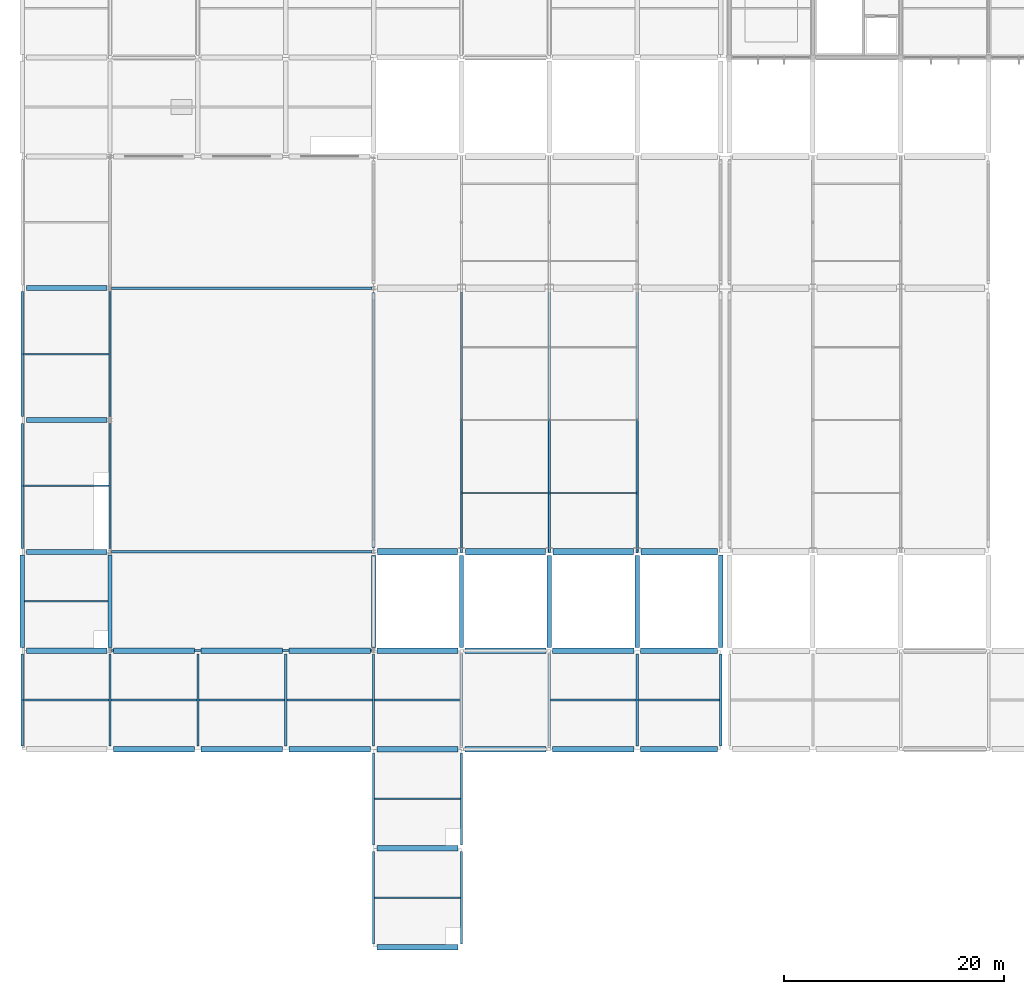
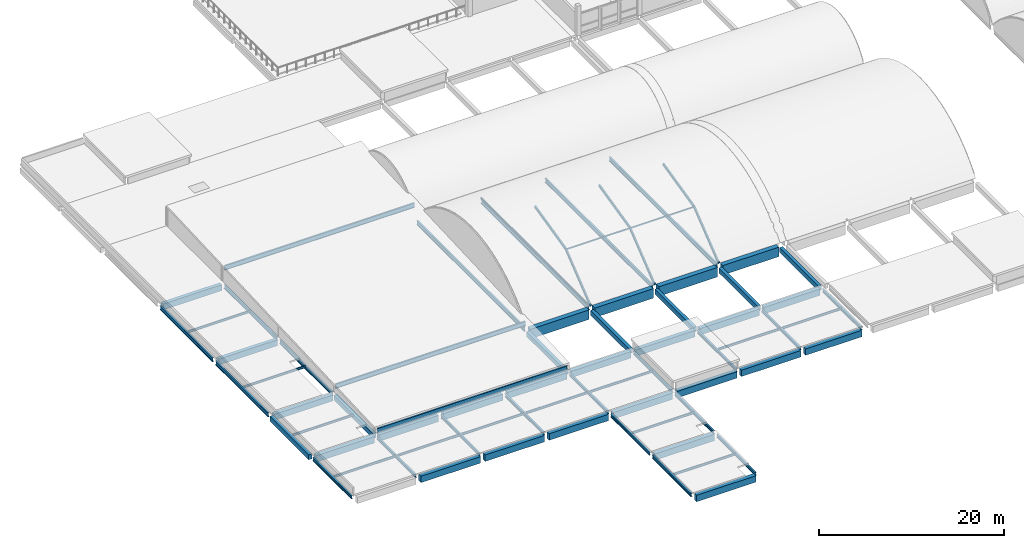
# One storey, part 4 of 57: 67 beams, 9 members.
"""IFC4 building model written with IfcOpenShell, lengths in metres."""

from ifc_helpers import new_model, si_unit, direction, frame, origin, origin_2d, place, context, subcontext, project, spatial, rectangle, hollow_rectangle, hollow_circle, i_section, extrude, material, material_profile, profile_set, type_object, element, save


model = new_model("IFC4")

# Units and contexts
model_context = context("Model", 3, precision=1e-05, world=origin(), true_north=direction((0.0, 1.0)))
body_context = subcontext(model_context, "Body", "Model", "MODEL_VIEW")
ifc_project = project(units=[si_unit("LENGTHUNIT", "METRE"), si_unit("AREAUNIT", "SQUARE_METRE"), si_unit("VOLUMEUNIT", "CUBIC_METRE"), si_unit("PLANEANGLEUNIT", "RADIAN"), si_unit("MASSUNIT", "GRAM", prefix="KILO"), si_unit("THERMODYNAMICTEMPERATUREUNIT", "KELVIN"), si_unit("POWERUNIT", "WATT")], contexts=[model_context])

# Site, building, storey
site_placement = place(None, origin())
site = spatial("IfcSite", under=ifc_project, at=site_placement, CompositionType="ELEMENT")
building_placement = place(site_placement, origin())
building = spatial("IfcBuilding", under=site, at=building_placement, Name="Kronsvod Quay Wholesale Market", CompositionType="ELEMENT")
storey_placement = place(building_placement, frame((0.0, 0.0, 13.199951171875)))
storey = spatial("IfcBuildingStorey", under=building, at=storey_placement, Name="L03", CompositionType="ELEMENT", Elevation=13.199951171875)

# Beams
ifc_material_1 = material(Name="Precast concrete C40/50", Category="concrete")
ifc_material_profile_1 = material_profile(ifc_material_1, rectangle(XDim=0.39990234375, YDim=0.64990234375, at=origin_2d()), Name="PCB400x650")
ifc_profile_set_1 = profile_set([ifc_material_profile_1], Name="Precast concrete C40/50")
beam_type_1 = type_object("IfcBeamType", Name="Beam_PCB400x650", PredefinedType="BEAM", material=ifc_profile_set_1)
for number, where, z_axis, x_axis, name in (
    (1, (0.0, 45.300048828125, -0.635009765625), (0.0, 1.0, 0.0), (-1.0, 0.0, 0.0), "BMY-L03-0-450"),
    (2, (8.0, 45.300048828125, -0.635009765625), (0.0, 1.0, 0.0), (-1.0, 0.0, 0.0), "BMY-L03-80-450"),
):
    element("IfcBeam", number, at=place(storey_placement, frame(where, z_axis=z_axis, x_axis=x_axis)), inside=storey, type_object=beam_type_1, Name=name, PredefinedType="BEAM", context=body_context, shape_type="SweptSolid", body=[
        extrude(rectangle(XDim=0.39990234375, YDim=0.64990234375, at=origin_2d()), origin(), (0.0, 0.0, 1.0), 8.39990234375),
    ])
for number, where, z_axis, x_axis, name in (
    (3, (32.0, 45.300048828125, -0.635009765625), (0.0, 1.0, 0.0), (-1.0, 0.0, 0.0), "BMY-L03-320-450"),
    (4, (40.0, 45.300048828125, -0.635009765625), (0.0, 1.0, 0.0), (-1.0, 0.0, 0.0), "BMY-L03-400-450"),
    (5, (48.0, 45.300048828125, -0.635009765625), (0.0, 1.0, 0.0), (-1.0, 0.0, 0.0), "BMY-L03-480-450"),
    (6, (56.0, 45.300048828125, -0.635009765625), (0.0, 1.0, 0.0), (-1.0, 0.0, 0.0), "BMY-L03-560-450"),
):
    element("IfcBeam", number, at=place(storey_placement, frame(where, z_axis=z_axis, x_axis=x_axis)), inside=storey, type_object=beam_type_1, Name=name, PredefinedType="BEAM", context=body_context, shape_type="SweptSolid", body=[
        extrude(rectangle(XDim=0.39990234375, YDim=0.64990234375, at=origin_2d()), origin(), (0.0, 0.0, 1.0), 8.349853515625),
    ])
beam_1_placement = place(storey_placement, frame((63.60009765625, 45.300048828125, -0.635009765625), z_axis=(0.0, 1.0, 0.0), x_axis=(-1.0, 0.0, 0.0)))
element("IfcBeam", 7, at=beam_1_placement, inside=storey, type_object=beam_type_1, Name="BMY-L03-636-450", PredefinedType="BEAM", context=body_context, shape_type="SweptSolid", body=[
    extrude(rectangle(XDim=0.39990234375, YDim=0.64990234375, at=origin_2d()), origin(), (0.0, 0.0, 1.0), 8.39990234375),
])
ifc_material_2 = material(Name="Precast concrete C40/50", Category="concrete")
ifc_material_profile_2 = material_profile(ifc_material_2, rectangle(XDim=0.4599609375, YDim=0.780029296875, at=origin_2d()), Name="PB-03")
ifc_profile_set_2 = profile_set([ifc_material_profile_2], Name="Precast concrete C40/50")
beam_type_2 = type_object("IfcBeamType", Name="Beam_PCB460x780", PredefinedType="BEAM", material=ifc_profile_set_2)
for number, where, z_axis, x_axis, name in (
    (8, (0.39990234375, 54.0, -0.699951171875), (1.0, 0.0, 0.0), (0.0, 1.0, 0.0), "BMX-L03-0-540"),
    (9, (0.39990234375, 66.0, -0.699951171875), (1.0, 0.0, 0.0), (0.0, 1.0, 0.0), "BMX-L03-0-660"),
    (10, (0.39990234375, 78.0, -0.699951171875), (1.0, 0.0, 0.0), (0.0, 1.0, 0.0), "BMX-L03-0-780"),
):
    element("IfcBeam", number, at=place(storey_placement, frame(where, z_axis=z_axis, x_axis=x_axis)), inside=storey, type_object=beam_type_2, Name=name, PredefinedType="BEAM", context=body_context, shape_type="SweptSolid", body=[
        extrude(rectangle(XDim=0.4599609375, YDim=0.780029296875, at=origin_2d()), origin(), (0.0, 0.0, 1.0), 7.300048828125),
    ])
ifc_material_3 = material(Name="Steel S355", Category="steel")
ifc_material_profile_3 = material_profile(ifc_material_3, i_section(OverallWidth=0.199951171875, OverallDepth=0.39990234375, WebThickness=0.008056640625, FlangeThickness=0.012939453125, FilletRadius=0.01611328125, at=origin_2d()), Name="40B2")
ifc_profile_set_3 = profile_set([ifc_material_profile_3], Name="Steel S355")
beam_type_3 = type_object("IfcBeamType", Name="Beam_Steel40B2", PredefinedType="BEAM", material=ifc_profile_set_3)
for number, where, z_axis, x_axis, name in (
    (11, (0.0, 36.300048828125, -0.510009765625), (0.0, 1.0, 0.0), (-1.0, 0.0, 0.0), "BMY-L03-0-360"),
    (12, (8.0, 36.300048828125, -0.510009765625), (0.0, 1.0, 0.0), (-1.0, 0.0, 0.0), "BMY-L03-80-360"),
    (13, (16.0, 36.300048828125, -0.510009765625), (0.0, 1.0, 0.0), (-1.0, 0.0, 0.0), "BMY-L03-160-360"),
    (14, (24.0, 36.300048828125, -0.510009765625), (0.0, 1.0, 0.0), (-1.0, 0.0, 0.0), "BMY-L03-240-360"),
    (15, (32.0, 18.300048828125, -0.510009765625), (0.0, 1.0, 0.0), (-1.0, 0.0, 0.0), "BMY-L03-320-180"),
    (16, (32.0, 27.300048828125, -0.510009765625), (0.0, 1.0, 0.0), (-1.0, 0.0, 0.0), "BMY-L03-320-270"),
    (17, (32.0, 36.300048828125, -0.510009765625), (0.0, 1.0, 0.0), (-1.0, 0.0, 0.0), "BMY-L03-320-360"),
    (18, (40.0, 18.300048828125, -0.510009765625), (0.0, 1.0, 0.0), (-1.0, 0.0, 0.0), "BMY-L03-400-180"),
    (19, (40.0, 27.300048828125, -0.510009765625), (0.0, 1.0, 0.0), (-1.0, 0.0, 0.0), "BMY-L03-400-270"),
    (20, (40.0, 36.300048828125, -0.510009765625), (0.0, 1.0, 0.0), (-1.0, 0.0, 0.0), "BMY-L03-400-360"),
    (21, (48.0, 36.300048828125, -0.510009765625), (0.0, 1.0, 0.0), (-1.0, 0.0, 0.0), "BMY-L03-480-360"),
    (22, (56.0, 36.300048828125, -0.510009765625), (0.0, 1.0, 0.0), (-1.0, 0.0, 0.0), "BMY-L03-560-360"),
    (23, (63.60009765625, 36.300048828125, -0.510009765625), (0.0, 1.0, 0.0), (-1.0, 0.0, 0.0), "BMY-L03-636-360"),
):
    element("IfcBeam", number, at=place(storey_placement, frame(where, z_axis=z_axis, x_axis=x_axis)), inside=storey, type_object=beam_type_3, Name=name, PredefinedType="BEAM", context=body_context, shape_type="SweptSolid", body=[
        extrude(i_section(OverallWidth=0.199951171875, OverallDepth=0.39990234375, WebThickness=0.008056640625, FlangeThickness=0.012939453125, FilletRadius=0.01611328125, at=origin_2d()), origin(), (0.0, 0.0, 1.0), 8.39990234375),
    ])
ifc_material_4 = material(Name="Precast concrete C40/50", Category="concrete")
ifc_material_profile_4 = material_profile(ifc_material_4, rectangle(XDim=0.5, YDim=0.85009765625, at=origin_2d()), Name="PCB500x850")
ifc_profile_set_4 = profile_set([ifc_material_profile_4], Name="Precast concrete C40/50")
beam_type_4 = type_object("IfcBeamType", Name="Girder_PCB500x850", PredefinedType="T_BEAM", material=ifc_profile_set_4)
for number, where, z_axis, x_axis, name in (
    (24, (32.300048828125, 18.0, -0.73486328125), (1.0, 0.0, 0.0), (0.0, 1.0, 0.0), "BMX-L03-320-180"),
    (25, (32.300048828125, 27.0, -0.73486328125), (1.0, 0.0, 0.0), (0.0, 1.0, 0.0), "BMX-L03-320-270"),
    (26, (8.300048828125, 36.0, -0.73486328125), (1.0, 0.0, 0.0), (0.0, 1.0, 0.0), "BMX-L03-80-360"),
    (27, (16.300048828125, 36.0, -0.73486328125), (1.0, 0.0, 0.0), (0.0, 1.0, 0.0), "BMX-L03-160-360"),
    (28, (24.300048828125, 36.0, -0.73486328125), (1.0, 0.0, 0.0), (0.0, 1.0, 0.0), "BMX-L03-240-360"),
    (29, (32.300048828125, 36.0, -0.73486328125), (1.0, 0.0, 0.0), (0.0, 1.0, 0.0), "BMX-L03-320-360"),
    (30, (40.300048828125, 36.0, -0.73486328125), (1.0, 0.0, 0.0), (0.0, 1.0, 0.0), "BMX-L03-400-360"),
    (31, (48.300048828125, 36.0, -0.73486328125), (1.0, 0.0, 0.0), (0.0, 1.0, 0.0), "BMX-L03-480-360"),
):
    element("IfcBeam", number, at=place(storey_placement, frame(where, z_axis=z_axis, x_axis=x_axis)), inside=storey, type_object=beam_type_4, Name=name, PredefinedType="T_BEAM", context=body_context, shape_type="SweptSolid", body=[
        extrude(rectangle(XDim=0.5, YDim=0.85009765625, at=origin_2d()), origin(), (0.0, 0.0, 1.0), 7.39990234375),
    ])
beam_2_placement = place(storey_placement, frame((56.300048828125, 36.0, -0.73486328125), z_axis=(1.0, 0.0, 0.0), x_axis=(0.0, 1.0, 0.0)))
element("IfcBeam", 32, at=beam_2_placement, inside=storey, type_object=beam_type_4, Name="BMX-L03-560-360", PredefinedType="T_BEAM", context=body_context, shape_type="SweptSolid", body=[
    extrude(rectangle(XDim=0.5, YDim=0.85009765625, at=origin_2d()), origin(), (0.0, 0.0, 1.0), 7.0),
])
beam_3_placement = place(storey_placement, frame((0.39990234375, 45.0, -0.73486328125), z_axis=(1.0, 0.0, 0.0), x_axis=(0.0, 1.0, 0.0)))
element("IfcBeam", 33, at=beam_3_placement, inside=storey, type_object=beam_type_4, Name="BMX-L03-0-450", PredefinedType="T_BEAM", context=body_context, shape_type="SweptSolid", body=[
    extrude(rectangle(XDim=0.5, YDim=0.85009765625, at=origin_2d()), origin(), (0.0, 0.0, 1.0), 7.300048828125),
])
for number, where, z_axis, x_axis, name in (
    (34, (8.300048828125, 45.0, -0.73486328125), (1.0, 0.0, 0.0), (0.0, 1.0, 0.0), "BMX-L03-80-450"),
    (35, (16.300048828125, 45.0, -0.73486328125), (1.0, 0.0, 0.0), (0.0, 1.0, 0.0), "BMX-L03-160-450"),
    (36, (24.300048828125, 45.0, -0.73486328125), (1.0, 0.0, 0.0), (0.0, 1.0, 0.0), "BMX-L03-240-450"),
    (37, (32.300048828125, 45.0, -0.73486328125), (1.0, 0.0, 0.0), (0.0, 1.0, 0.0), "BMX-L03-320-450"),
    (38, (40.300048828125, 45.0, -0.73486328125), (1.0, 0.0, 0.0), (0.0, 1.0, 0.0), "BMX-L03-400-450"),
    (39, (48.300048828125, 45.0, -0.73486328125), (1.0, 0.0, 0.0), (0.0, 1.0, 0.0), "BMX-L03-480-450"),
):
    element("IfcBeam", number, at=place(storey_placement, frame(where, z_axis=z_axis, x_axis=x_axis)), inside=storey, type_object=beam_type_4, Name=name, PredefinedType="T_BEAM", context=body_context, shape_type="SweptSolid", body=[
        extrude(rectangle(XDim=0.5, YDim=0.85009765625, at=origin_2d()), origin(), (0.0, 0.0, 1.0), 7.39990234375),
    ])
beam_4_placement = place(storey_placement, frame((56.300048828125, 45.0, -0.73486328125), z_axis=(1.0, 0.0, 0.0), x_axis=(0.0, 1.0, 0.0)))
element("IfcBeam", 40, at=beam_4_placement, inside=storey, type_object=beam_type_4, Name="BMX-L03-560-450", PredefinedType="T_BEAM", context=body_context, shape_type="SweptSolid", body=[
    extrude(rectangle(XDim=0.5, YDim=0.85009765625, at=origin_2d()), origin(), (0.0, 0.0, 1.0), 7.0),
])
ifc_material_5 = material(Name="Precast concrete C40/50", Category="concrete")
ifc_material_profile_5 = material_profile(ifc_material_5, rectangle(XDim=0.60009765625, YDim=1.25, at=origin_2d()), Name="PCVG600x1250")
ifc_profile_set_5 = profile_set([ifc_material_profile_5], Name="Precast concrete C40/50")
beam_type_5 = type_object("IfcBeamType", Name="Girder_PCVG600x1250", PredefinedType="T_BEAM", material=ifc_profile_set_5)
for number, where, z_axis, x_axis, name in (
    (41, (32.35009765625, 54.0, -0.844970703125), (1.0, 0.0, 0.0), (0.0, 1.0, 0.0), "BMX-L03-320-540"),
    (42, (40.35009765625, 54.0, -0.844970703125), (1.0, 0.0, 0.0), (0.0, 1.0, 0.0), "BMX-L03-400-540"),
    (43, (48.35009765625, 54.0, -0.844970703125), (1.0, 0.0, 0.0), (0.0, 1.0, 0.0), "BMX-L03-480-540"),
):
    element("IfcBeam", number, at=place(storey_placement, frame(where, z_axis=z_axis, x_axis=x_axis)), inside=storey, type_object=beam_type_5, Name=name, PredefinedType="T_BEAM", context=body_context, shape_type="SweptSolid", body=[
        extrude(rectangle(XDim=0.60009765625, YDim=1.25, at=origin_2d()), origin(), (0.0, 0.0, 1.0), 7.2998046875),
    ])
beam_5_placement = place(storey_placement, frame((56.35009765625, 54.0, -0.844970703125), z_axis=(1.0, 0.0, 0.0), x_axis=(0.0, 1.0, 0.0)))
element("IfcBeam", 44, at=beam_5_placement, inside=storey, type_object=beam_type_5, Name="BMX-L03-560-540", PredefinedType="T_BEAM", context=body_context, shape_type="SweptSolid", body=[
    extrude(rectangle(XDim=0.60009765625, YDim=1.25, at=origin_2d()), origin(), (0.0, 0.0, 1.0), 6.949951171875),
])
ifc_material_6 = material(Name="Steel S355", Category="steel")
ifc_material_profile_6 = material_profile(ifc_material_6, i_section(OverallWidth=0.198974609375, OverallDepth=0.49609375, WebThickness=0.009033203125, FlangeThickness=0.013916015625, FilletRadius=0.02001953125, at=origin_2d()), Name="50B1")
ifc_profile_set_6 = profile_set([ifc_material_profile_6], Name="Steel S355")
beam_type_6 = type_object("IfcBeamType", Name="Girder_Steel50B1", PredefinedType="T_BEAM", material=ifc_profile_set_6)
for number, where, z_axis, x_axis, name in (
    (45, (0.0, 54.300048828125, -0.557861328125), (0.0, 1.0, 0.0), (-1.0, 0.0, 0.0), "BMY-L03-0-540"),
    (46, (0.0, 66.300048828125, -0.557861328125), (0.0, 1.0, 0.0), (-1.0, 0.0, 0.0), "BMY-L03-0-660"),
    (47, (8.0, 54.300048828125, -0.557861328125), (0.0, 1.0, 0.0), (-1.0, 0.0, 0.0), "BMY-L03-80-540"),
    (48, (8.0, 66.300048828125, -0.557861328125), (0.0, 1.0, 0.0), (-1.0, 0.0, 0.0), "BMY-L03-80-660"),
):
    element("IfcBeam", number, at=place(storey_placement, frame(where, z_axis=z_axis, x_axis=x_axis)), inside=storey, type_object=beam_type_6, Name=name, PredefinedType="T_BEAM", context=body_context, shape_type="SweptSolid", body=[
        extrude(i_section(OverallWidth=0.198974609375, OverallDepth=0.49609375, WebThickness=0.009033203125, FlangeThickness=0.013916015625, FilletRadius=0.02001953125, at=origin_2d()), origin(), (0.0, 0.0, 1.0), 11.39990234375),
    ])
ifc_material_7 = material(Name="Steel S355", Category="steel")
ifc_material_profile_7 = material_profile(ifc_material_7, i_section(OverallWidth=0.199951171875, OverallDepth=0.5458984375, WebThickness=0.009521484375, FlangeThickness=0.014892578125, FilletRadius=0.02197265625, at=origin_2d()), Name="55B1")
ifc_profile_set_7 = profile_set([ifc_material_profile_7], Name="Steel S355")
beam_type_7 = type_object("IfcBeamType", Name="Girder_Steel55B1", PredefinedType="T_BEAM", material=ifc_profile_set_7)
for number, where, z_axis, x_axis, name in (
    (49, (32.0, 54.35009765625, -0.492919921875), (0.0, 1.0, 0.0), (-1.0, 0.0, 0.0), "BMY-L03-320-540"),
    (50, (40.0, 54.35009765625, -0.492919921875), (0.0, 1.0, 0.0), (-1.0, 0.0, 0.0), "BMY-L03-400-540"),
    (51, (48.0, 54.35009765625, -0.492919921875), (0.0, 1.0, 0.0), (-1.0, 0.0, 0.0), "BMY-L03-480-540"),
    (52, (56.0, 54.35009765625, -0.492919921875), (0.0, 1.0, 0.0), (-1.0, 0.0, 0.0), "BMY-L03-560-540"),
):
    element("IfcBeam", number, at=place(storey_placement, frame(where, z_axis=z_axis, x_axis=x_axis)), inside=storey, type_object=beam_type_7, Name=name, PredefinedType="T_BEAM", context=body_context, shape_type="SweptSolid", body=[
        extrude(i_section(OverallWidth=0.199951171875, OverallDepth=0.5458984375, WebThickness=0.009521484375, FlangeThickness=0.014892578125, FilletRadius=0.02197265625, at=origin_2d()), origin(), (0.0, 0.0, 1.0), 23.27490234375),
    ])
ifc_material_8 = material(Name="Steel S355", Category="steel")
ifc_material_profile_8 = material_profile(ifc_material_8, i_section(OverallWidth=0.198974609375, OverallDepth=0.595947265625, WebThickness=0.010009765625, FlangeThickness=0.014892578125, FilletRadius=0.02392578125, at=origin_2d()), Name="60B1")
ifc_profile_set_8 = profile_set([ifc_material_profile_8], Name="Steel S355")
beam_type_8 = type_object("IfcBeamType", Name="Girder_Steel60B1", PredefinedType="T_BEAM", material=ifc_profile_set_8)
for number, where, z_axis, x_axis, name in (
    (53, (8.14501953125, 45.0, 0.18212890625), (1.0, 0.0, 0.0), (0.0, 1.0, 0.0), "BMAUC-L03-450"),
    (54, (8.14501953125, 54.0, 0.575927734375), (1.0, 0.0, 0.0), (0.0, 1.0, 0.0), "BMAUC-L03-540"),
    (55, (8.14501953125, 78.0, 1.626708984375), (1.0, 0.0, 0.0), (0.0, 1.0, 0.0), "BMAUC-L03-780"),
):
    element("IfcBeam", number, at=place(storey_placement, frame(where, z_axis=z_axis, x_axis=x_axis)), inside=storey, type_object=beam_type_8, Name=name, PredefinedType="T_BEAM", context=body_context, shape_type="SweptSolid", body=[
        extrude(i_section(OverallWidth=0.198974609375, OverallDepth=0.595947265625, WebThickness=0.010009765625, FlangeThickness=0.014892578125, FilletRadius=0.02392578125, at=origin_2d()), origin(), (0.0, 0.0, 1.0), 23.7099609375),
    ])
ifc_material_9 = material(Name="Steel S355", Category="steel")
ifc_material_profile_9 = material_profile(ifc_material_9, i_section(OverallWidth=0.14990234375, OverallDepth=0.300048828125, WebThickness=0.006591796875, FlangeThickness=0.009033203125, FilletRadius=0.012939453125, at=origin_2d()), Name="30B2")
ifc_profile_set_9 = profile_set([ifc_material_profile_9], Name="Steel S355")
beam_type_9 = type_object("IfcBeamType", Name="Joist_Steel30B2", PredefinedType="JOIST", material=ifc_profile_set_9)
beam_6_placement = place(storey_placement, frame((0.094970703125, 40.5, -0.369873046875), z_axis=(1.0, 0.0, 0.0), x_axis=(0.0, 1.0, 0.0)))
element("IfcBeam", 56, at=beam_6_placement, inside=storey, type_object=beam_type_9, Name="JSTX-L03-0-360", PredefinedType="JOIST", context=body_context, shape_type="SweptSolid", body=[
    extrude(i_section(OverallWidth=0.14990234375, OverallDepth=0.300048828125, WebThickness=0.006591796875, FlangeThickness=0.009033203125, FilletRadius=0.012939453125, at=origin_2d()), origin(), (0.0, 0.0, 1.0), 7.81005859375),
])
beam_7_placement = place(storey_placement, frame((0.195068359375, 49.5, -0.369873046875), z_axis=(1.0, 0.0, 0.0), x_axis=(0.0, 1.0, 0.0)))
element("IfcBeam", 57, at=beam_7_placement, inside=storey, type_object=beam_type_9, Name="JSTX-L03-0-450", PredefinedType="JOIST", context=body_context, shape_type="SweptSolid", body=[
    extrude(i_section(OverallWidth=0.14990234375, OverallDepth=0.300048828125, WebThickness=0.006591796875, FlangeThickness=0.009033203125, FilletRadius=0.012939453125, at=origin_2d()), origin(), (0.0, 0.0, 1.0), 7.60986328125),
])
for number, where, z_axis, x_axis, name in (
    (58, (0.094482421875, 60.0, -0.369873046875), (1.0, 0.0, 0.0), (0.0, 1.0, 0.0), "JSTX-L03-0-540"),
    (59, (0.094482421875, 72.0, -0.369873046875), (1.0, 0.0, 0.0), (0.0, 1.0, 0.0), "JSTX-L03-0-660"),
):
    element("IfcBeam", number, at=place(storey_placement, frame(where, z_axis=z_axis, x_axis=x_axis)), inside=storey, type_object=beam_type_9, Name=name, PredefinedType="JOIST", context=body_context, shape_type="SweptSolid", body=[
        extrude(i_section(OverallWidth=0.14990234375, OverallDepth=0.300048828125, WebThickness=0.006591796875, FlangeThickness=0.009033203125, FilletRadius=0.012939453125, at=origin_2d()), origin(), (0.0, 0.0, 1.0), 7.81103515625),
    ])
for number, where, z_axis, x_axis, name in (
    (60, (8.094970703125, 40.5, -0.369873046875), (1.0, 0.0, 0.0), (0.0, 1.0, 0.0), "JSTX-L03-80-360"),
    (61, (16.094970703125, 40.5, -0.369873046875), (1.0, 0.0, 0.0), (0.0, 1.0, 0.0), "JSTX-L03-160-360"),
    (62, (24.094970703125, 40.5, -0.369873046875), (1.0, 0.0, 0.0), (0.0, 1.0, 0.0), "JSTX-L03-240-360"),
    (63, (32.094970703125, 22.5, -0.369873046875), (1.0, 0.0, 0.0), (0.0, 1.0, 0.0), "JSTX-L03-320-180"),
    (64, (32.094970703125, 31.5, -0.369873046875), (1.0, 0.0, 0.0), (0.0, 1.0, 0.0), "JSTX-L03-320-270"),
    (65, (32.094970703125, 40.5, -0.369873046875), (1.0, 0.0, 0.0), (0.0, 1.0, 0.0), "JSTX-L03-320-360"),
    (66, (48.094970703125, 40.5, -0.369873046875), (1.0, 0.0, 0.0), (0.0, 1.0, 0.0), "JSTX-L03-480-360"),
):
    element("IfcBeam", number, at=place(storey_placement, frame(where, z_axis=z_axis, x_axis=x_axis)), inside=storey, type_object=beam_type_9, Name=name, PredefinedType="JOIST", context=body_context, shape_type="SweptSolid", body=[
        extrude(i_section(OverallWidth=0.14990234375, OverallDepth=0.300048828125, WebThickness=0.006591796875, FlangeThickness=0.009033203125, FilletRadius=0.012939453125, at=origin_2d()), origin(), (0.0, 0.0, 1.0), 7.81005859375),
    ])
beam_8_placement = place(storey_placement, frame((56.094970703125, 40.5, -0.369873046875), z_axis=(1.0, 0.0, 0.0), x_axis=(0.0, 1.0, 0.0)))
element("IfcBeam", 67, at=beam_8_placement, inside=storey, type_object=beam_type_9, Name="JSTX-L03-560-360", PredefinedType="JOIST", context=body_context, shape_type="SweptSolid", body=[
    extrude(i_section(OverallWidth=0.14990234375, OverallDepth=0.300048828125, WebThickness=0.006591796875, FlangeThickness=0.009033203125, FilletRadius=0.012939453125, at=origin_2d()), origin(), (0.0, 0.0, 1.0), 7.409912109375),
])

# Members
ifc_material_10 = material(Name="Steel S355", Category="steel")
ifc_material_profile_10 = material_profile(ifc_material_10, hollow_rectangle(XDim=0.199951171875, YDim=0.300048828125, WallThickness=0.011962890625, InnerFilletRadius=0.011962890625, OuterFilletRadius=0.02392578125, at=origin_2d()), Name="RHS300x200x12")
ifc_profile_set_10 = profile_set([ifc_material_profile_10], Name="Steel S355")
member_type_1 = type_object("IfcMemberType", Name="Member_Arch300x200", PredefinedType="RAFTER", material=ifc_profile_set_10)
member_1_placement = place(storey_placement, frame((40.0, 54.0, -0.010009765625), z_axis=(0.0, 0.781378659876, 0.624057200816), x_axis=(-1.0, 0.0, 0.0)))
element("IfcMember", 68, at=member_1_placement, inside=storey, type_object=member_type_1, Name="ARCG-SH-V1W-M-400-0", PredefinedType="RAFTER", context=body_context, shape_type="SweptSolid", body=[
    extrude(hollow_rectangle(XDim=0.199951171875, YDim=0.300048828125, WallThickness=0.011962890625, InnerFilletRadius=0.011962890625, OuterFilletRadius=0.02392578125, at=origin_2d()), origin(), (0.0, 0.0, 1.0), 6.86376953125),
])
member_2_placement = place(storey_placement, frame((40.0, 59.36328125, 4.2734375), z_axis=(0.0, 0.973251166163, 0.229743699723), x_axis=(-1.0, 0.0, 0.0)))
element("IfcMember", 69, at=member_2_placement, inside=storey, type_object=member_type_1, Name="ARCG-SH-V1W-M-400-1", PredefinedType="RAFTER", context=body_context, shape_type="SweptSolid", body=[
    extrude(hollow_rectangle(XDim=0.199951171875, YDim=0.300048828125, WallThickness=0.011962890625, InnerFilletRadius=0.011962890625, OuterFilletRadius=0.02392578125, at=origin_2d()), origin(), (0.0, 0.0, 1.0), 6.819091796875),
])
member_3_placement = place(storey_placement, frame((48.0, 54.0, -0.010009765625), z_axis=(0.0, 0.781378659876, 0.624057200816), x_axis=(-1.0, 0.0, 0.0)))
element("IfcMember", 70, at=member_3_placement, inside=storey, type_object=member_type_1, Name="ARCG-SH-V1W-M-480-0", PredefinedType="RAFTER", context=body_context, shape_type="SweptSolid", body=[
    extrude(hollow_rectangle(XDim=0.199951171875, YDim=0.300048828125, WallThickness=0.011962890625, InnerFilletRadius=0.011962890625, OuterFilletRadius=0.02392578125, at=origin_2d()), origin(), (0.0, 0.0, 1.0), 6.86376953125),
])
member_4_placement = place(storey_placement, frame((48.0, 59.36328125, 4.2734375), z_axis=(0.0, 0.973251166163, 0.229743699723), x_axis=(-1.0, 0.0, 0.0)))
element("IfcMember", 71, at=member_4_placement, inside=storey, type_object=member_type_1, Name="ARCG-SH-V1W-M-480-1", PredefinedType="RAFTER", context=body_context, shape_type="SweptSolid", body=[
    extrude(hollow_rectangle(XDim=0.199951171875, YDim=0.300048828125, WallThickness=0.011962890625, InnerFilletRadius=0.011962890625, OuterFilletRadius=0.02392578125, at=origin_2d()), origin(), (0.0, 0.0, 1.0), 6.819091796875),
])
member_5_placement = place(storey_placement, frame((56.0, 54.0, -0.010009765625), z_axis=(0.0, 0.781378659876, 0.624057200816), x_axis=(-1.0, 0.0, 0.0)))
element("IfcMember", 72, at=member_5_placement, inside=storey, type_object=member_type_1, Name="ARCG-SH-V1W-M-560-0", PredefinedType="RAFTER", context=body_context, shape_type="SweptSolid", body=[
    extrude(hollow_rectangle(XDim=0.199951171875, YDim=0.300048828125, WallThickness=0.011962890625, InnerFilletRadius=0.011962890625, OuterFilletRadius=0.02392578125, at=origin_2d()), origin(), (0.0, 0.0, 1.0), 6.86376953125),
])
member_6_placement = place(storey_placement, frame((56.0, 59.36328125, 4.2734375), z_axis=(0.0, 0.973251166163, 0.229743699723), x_axis=(-1.0, 0.0, 0.0)))
element("IfcMember", 73, at=member_6_placement, inside=storey, type_object=member_type_1, Name="ARCG-SH-V1W-M-560-1", PredefinedType="RAFTER", context=body_context, shape_type="SweptSolid", body=[
    extrude(hollow_rectangle(XDim=0.199951171875, YDim=0.300048828125, WallThickness=0.011962890625, InnerFilletRadius=0.011962890625, OuterFilletRadius=0.02392578125, at=origin_2d()), origin(), (0.0, 0.0, 1.0), 6.819091796875),
])
ifc_material_11 = material(Name="Steel S355", Category="steel")
ifc_material_profile_11 = material_profile(ifc_material_11, hollow_circle(Radius=0.109619140625, WallThickness=0.010009765625, at=origin_2d()), Name="CHS219x10")
ifc_profile_set_11 = profile_set([ifc_material_profile_11], Name="Steel S355")
member_type_2 = type_object("IfcMemberType", Name="Member_Chord219x10", PredefinedType="CHORD", material=ifc_profile_set_11)
member_7_placement = place(storey_placement, frame((40.0, 54.340087890625, -0.079833984375), z_axis=(0.0, 1.0, 0.0), x_axis=(-1.0, 0.0, 0.0)))
element("IfcMember", 74, at=member_7_placement, inside=storey, type_object=member_type_2, Name="CHDG-SH-V1W-M-400", PredefinedType="CHORD", context=body_context, shape_type="SweptSolid", body=[
    extrude(hollow_circle(Radius=0.109619140625, WallThickness=0.010009765625, at=origin_2d()), origin(), (0.0, 0.0, 1.0), 23.31982421875),
])
ifc_material_12 = material(Name="Steel S355", Category="steel")
ifc_material_profile_12 = material_profile(ifc_material_12, hollow_rectangle(XDim=0.10009765625, YDim=0.179931640625, WallThickness=0.008056640625, InnerFilletRadius=0.008056640625, OuterFilletRadius=0.01611328125, at=origin_2d()), Name="RHS180x100x8")
ifc_profile_set_12 = profile_set([ifc_material_profile_12], Name="Steel S355")
member_type_3 = type_object("IfcMemberType", Name="Member_Purlin180x100", PredefinedType="PURLIN", material=ifc_profile_set_12)
for number, where, z_axis, x_axis, name in (
    (75, (40.080078125, 59.36328125, 4.21337890625), (1.0, 0.0, 0.0), (0.0, 1.0, 0.0), "PRLG-SH-V1W-M-0-0"),
    (76, (48.080078125, 59.36328125, 4.21337890625), (1.0, 0.0, 0.0), (0.0, 1.0, 0.0), "PRLG-SH-V1W-M-1-0"),
):
    element("IfcMember", number, at=place(storey_placement, frame(where, z_axis=z_axis, x_axis=x_axis)), inside=storey, type_object=member_type_3, Name=name, PredefinedType="PURLIN", context=body_context, shape_type="SweptSolid", body=[
        extrude(hollow_rectangle(XDim=0.10009765625, YDim=0.179931640625, WallThickness=0.008056640625, InnerFilletRadius=0.008056640625, OuterFilletRadius=0.01611328125, at=origin_2d()), origin(), (0.0, 0.0, 1.0), 7.83984375),
    ])

save(model, "model.ifc")
